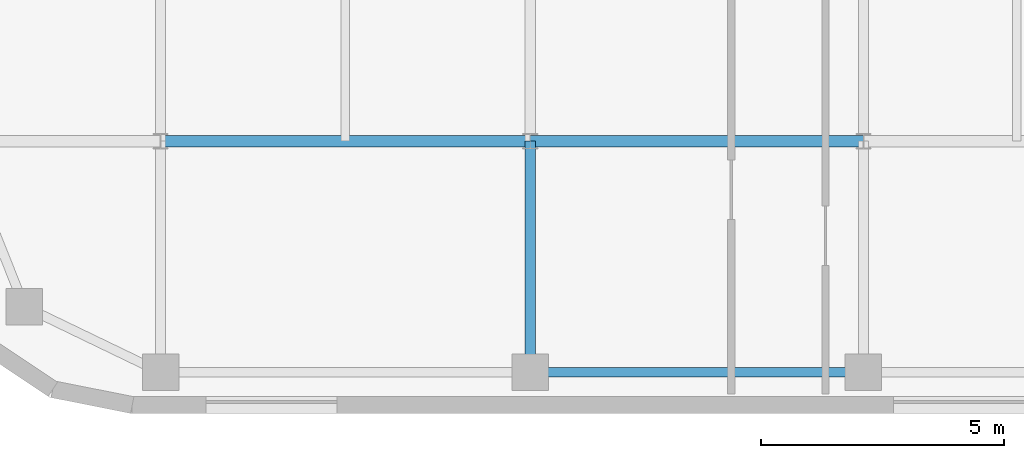
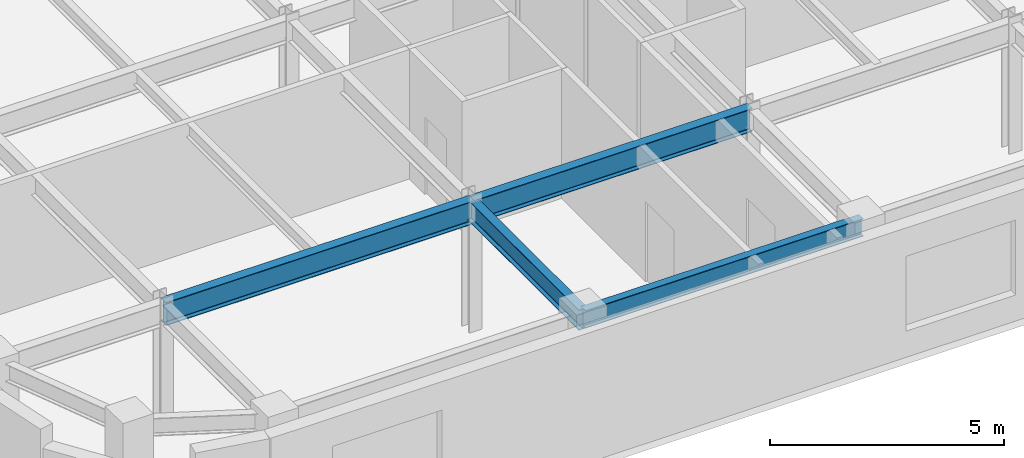
# One storey, part 4 of 19: 4 beams.
"""IFC4 building model written with IfcOpenShell, lengths in metres."""

import ifcopenshell
import ifcopenshell.guid

model = None  # the IFC model being written
_history = None  # IfcOwnerHistory: only IFC2X3 demands one
_inside = {}  # id of a spatial element -> (the spatial element, [elements in it])
_under = {}  # id of a project, library or spatial element -> (it, [spatial elements below it])
_declared = {}  # id of a project -> (the project, [libraries it declares])
_typed = {}  # id of a type object -> (the type object, [elements of that type])
_made_of = {}  # id of a material, layer set ... -> (it, [elements and type objects made of it])


def new_model(schema):
    """Start an empty IFC model of exactly this schema.

    Asked for "IFC4X3", IfcOpenShell would pick the latest addendum, in which some entities
    have other attributes; the version numbers below select the first issue.
    IFC2X3 requires an IfcOwnerHistory on every rooted entity: one is made here for all.
    """
    global model, _history
    if schema == "IFC4X3":
        model = ifcopenshell.file(schema_version=(4, 3, 0, 0))
    else:
        model = ifcopenshell.file(schema=schema)
    _inside.clear()
    _under.clear()
    _declared.clear()
    _typed.clear()
    _made_of.clear()
    _history = None
    if model.schema == "IFC2X3":
        org = make("IfcOrganization", Name="unknown")
        user = make(
            "IfcPersonAndOrganization",
            ThePerson=make("IfcPerson", FamilyName="unknown"),
            TheOrganization=org,
        )
        app = make(
            "IfcApplication",
            ApplicationDeveloper=org,
            Version="unknown",
            ApplicationFullName="unknown",
            ApplicationIdentifier="unknown",
        )
        _history = make(
            "IfcOwnerHistory",
            OwningUser=user,
            OwningApplication=app,
            ChangeAction="ADDED",
            CreationDate=0,
        )
    return model


def make(cls, **values):
    """One entity of the class cls with the attributes given. An attribute that is None is left unset."""
    return model.create_entity(
        cls, **{name: value for name, value in values.items() if value is not None}
    )


def rooted(cls, **values):
    """An entity with a GlobalId (a new one), such as an element, a storey or a relation."""
    return make(cls, GlobalId=ifcopenshell.guid.new(), OwnerHistory=_history, **values)


def si_unit(unit_type, name, prefix=None):
    """IfcSIUnit, for example si_unit("LENGTHUNIT", "METRE", prefix="MILLI")."""
    return make("IfcSIUnit", UnitType=unit_type, Prefix=prefix, Name=name)


def assignment(units):
    """IfcUnitAssignment: the units of a project."""
    return None if units is None else make("IfcUnitAssignment", Units=units)


def point(xyz):
    """IfcCartesianPoint."""
    return None if xyz is None else make("IfcCartesianPoint", Coordinates=xyz)


def direction(xyz):
    """IfcDirection."""
    return None if xyz is None else make("IfcDirection", DirectionRatios=xyz)


def frame(location, z_axis=None, x_axis=None):
    """IfcAxis2Placement3D, a coordinate frame: its origin and axes. An axis left out is left unset."""
    return make(
        "IfcAxis2Placement3D",
        Location=point(location),
        Axis=direction(z_axis),
        RefDirection=direction(x_axis),
    )


def frame_2d(location, x_axis=None):
    """IfcAxis2Placement2D, a coordinate frame in the plane: its origin and x axis."""
    return make(
        "IfcAxis2Placement2D", Location=point(location), RefDirection=direction(x_axis)
    )


def origin():
    """The frame at (0, 0, 0) with its axes left unset."""
    return frame((0.0, 0.0, 0.0))


def origin_2d():
    """The frame at (0, 0) in the plane with its x axis left unset."""
    return frame_2d((0.0, 0.0))


def place(relative_to, where):
    """IfcLocalPlacement: puts the frame where relative to a parent placement (None: the world)."""
    return make(
        "IfcLocalPlacement", PlacementRelTo=relative_to, RelativePlacement=where
    )


def context(
    kind, dimensions, precision=None, world=None, true_north=None, identifier=None
):
    """IfcGeometricRepresentationContext, for example the 3D "Model" context."""
    return make(
        "IfcGeometricRepresentationContext",
        ContextIdentifier=identifier,
        ContextType=kind,
        CoordinateSpaceDimension=dimensions,
        Precision=precision,
        WorldCoordinateSystem=world,
        TrueNorth=true_north,
    )


def subcontext(parent, identifier, kind, view, scale=None):
    """IfcGeometricRepresentationSubContext, for example "Body" below "Model"."""
    return make(
        "IfcGeometricRepresentationSubContext",
        ContextIdentifier=identifier,
        ContextType=kind,
        ParentContext=parent,
        TargetScale=scale,
        TargetView=view,
    )


def project(units=None, contexts=None):
    """IfcProject with its units and contexts."""
    return rooted(
        "IfcProject",
        Name="project",
        RepresentationContexts=contexts,
        UnitsInContext=assignment(units),
    )


def spatial(cls, under=None, at=None, **own):
    """A site, building, storey or space (cls), placed at a placement, below another one or the project."""
    s = rooted(cls, ObjectPlacement=at, **own)
    if under is not None:
        _under.setdefault(under.id(), (under, []))[1].append(s)
    return s


def profile(cls, at=None, kind="AREA", **sizes):
    """A parametric profile (cls). Its sizes go by their IFC names, for example OverallWidth=200.0."""
    return make(cls, ProfileType=kind, Position=at, **sizes)


def i_section(**sizes):
    """IfcIShapeProfileDef."""
    return profile("IfcIShapeProfileDef", **sizes)


def extrude(swept, where, along, depth):
    """IfcExtrudedAreaSolid: the profile swept, set in the frame where, extruded along a direction by depth."""
    return make(
        "IfcExtrudedAreaSolid",
        SweptArea=swept,
        Position=where,
        ExtrudedDirection=direction(along),
        Depth=depth,
    )


def shape(context_of_items, identifier, shape_type, items):
    """IfcShapeRepresentation: the items that make up one representation, for example the "Body"."""
    return make(
        "IfcShapeRepresentation",
        ContextOfItems=context_of_items,
        RepresentationIdentifier=identifier,
        RepresentationType=shape_type,
        Items=items,
    )


def source(mapping_origin, context_of_items, identifier, shape_type, items):
    """IfcRepresentationMap: a shape defined once, which mapped items show again and again."""
    return make(
        "IfcRepresentationMap",
        MappingOrigin=mapping_origin,
        MappedRepresentation=shape(context_of_items, identifier, shape_type, items),
    )


def transform(
    local_origin,
    x_axis=None,
    y_axis=None,
    z_axis=None,
    scale=None,
    scale2=None,
    scale3=None,
    uniform=True,
):
    """IfcCartesianTransformationOperator3D, or its non-uniform kind. x_axis, y_axis, z_axis: its Axis1, 2, 3."""
    if uniform:
        return make(
            "IfcCartesianTransformationOperator3D",
            Axis1=direction(x_axis),
            Axis2=direction(y_axis),
            LocalOrigin=point(local_origin),
            Scale=scale,
            Axis3=direction(z_axis),
        )
    return make(
        "IfcCartesianTransformationOperator3DnonUniform",
        Axis1=direction(x_axis),
        Axis2=direction(y_axis),
        LocalOrigin=point(local_origin),
        Scale=scale,
        Axis3=direction(z_axis),
        Scale2=scale2,
        Scale3=scale3,
    )


def mapped(mapping_source, mapping_target):
    """IfcMappedItem: shows the shape of a source again, moved by a transform."""
    return make(
        "IfcMappedItem", MappingSource=mapping_source, MappingTarget=mapping_target
    )


def material(Name=None, Category=None):
    """IfcMaterial."""
    return make("IfcMaterial", Name=Name, Category=Category)


def material_profile(
    of_material, cross_section, Name=None, Category=None, Priority=None
):
    """IfcMaterialProfile: a cross section and its material."""
    return make(
        "IfcMaterialProfile",
        Name=Name,
        Material=of_material,
        Profile=cross_section,
        Priority=Priority,
        Category=Category,
    )


def profile_set(profiles, Name=None, composite=None):
    """IfcMaterialProfileSet."""
    return make(
        "IfcMaterialProfileSet",
        Name=Name,
        MaterialProfiles=profiles,
        CompositeProfile=composite,
    )


def made_of(thing, what):
    """Note that an element or type object is made of a material, layer set ...; save() writes the relation."""
    if what is not None:
        _made_of.setdefault(what.id(), (what, []))[1].append(thing)
    return thing


def type_object(cls, material=None, **own):
    """A type object (cls), such as IfcWallType, which elements share."""
    return made_of(rooted(cls, **own), material)


def type_shapes(of_type, sources):
    """Give a type object the sources (RepresentationMaps) that its elements show as mapped items."""
    of_type.RepresentationMaps = sources


def element(
    cls,
    number,
    at=None,
    inside=None,
    cuts=None,
    type_object=None,
    material=None,
    context=None,
    identifier="Body",
    shape_type=None,
    held_by="IfcProductDefinitionShape",
    body=None,
    shapes=None,
    **own,
):
    """One element of the class cls, such as IfcWall. Its Tag is "e" and its number.

    at: its placement. inside: the storey or other place that contains it. cuts: it is an
    opening in that element (IfcRelVoidsElement). A single representation is given by context,
    identifier, shape_type and body (its items); several are given by shapes. held_by: the class
    of the entity that holds the representations. save() writes the other relations.
    """
    e = rooted(cls, Tag="e%d" % number, ObjectPlacement=at, **own)
    if body is not None:
        shapes = [shape(context, identifier, shape_type, body)]
    if shapes is not None:
        e.Representation = make(held_by, Representations=shapes)
    if inside is not None:
        _inside.setdefault(inside.id(), (inside, []))[1].append(e)
    if cuts is not None:
        rooted(
            "IfcRelVoidsElement", RelatingBuildingElement=cuts, RelatedOpeningElement=e
        )
    if type_object is not None:
        _typed.setdefault(type_object.id(), (type_object, []))[1].append(e)
    return made_of(e, material)


def aggregate(whole, parts):
    """IfcRelAggregates: a whole, such as a stair, and the parts it consists of."""
    return rooted("IfcRelAggregates", RelatingObject=whole, RelatedObjects=parts)


def save(model, path):
    """Write the relations noted so far, then the file.

    IfcRelAggregates (storeys below a building ...), IfcRelContainedInSpatialStructure (elements
    in a storey), IfcRelDefinesByType, IfcRelAssociatesMaterial and IfcRelDeclares: one each for
    every whole, place, type object, material and project.
    """
    for whole, parts in _under.values():
        aggregate(whole, parts)
    for where, things in _inside.values():
        rooted(
            "IfcRelContainedInSpatialStructure",
            RelatedElements=things,
            RelatingStructure=where,
        )
    for kind, things in _typed.values():
        rooted("IfcRelDefinesByType", RelatedObjects=things, RelatingType=kind)
    for what, things in _made_of.values():
        rooted("IfcRelAssociatesMaterial", RelatedObjects=things, RelatingMaterial=what)
    for by, libraries in _declared.values():
        rooted("IfcRelDeclares", RelatingContext=by, RelatedDefinitions=libraries)
    model.write(path)


model = new_model("IFC4")

# Units and contexts
model_context = context("Model", 3, precision=1e-05, world=origin(), true_north=direction((0.0, 1.0)))
body_context = subcontext(model_context, "Body", "Model", "MODEL_VIEW")
ifc_project = project(units=[si_unit("LENGTHUNIT", "METRE"), si_unit("AREAUNIT", "SQUARE_METRE"), si_unit("VOLUMEUNIT", "CUBIC_METRE"), si_unit("PLANEANGLEUNIT", "RADIAN"), si_unit("MASSUNIT", "GRAM", prefix="KILO")], contexts=[model_context])

# Site, building, storey
site_placement = place(None, origin())
site = spatial("IfcSite", under=ifc_project, at=site_placement, CompositionType="ELEMENT")
building_placement = place(site_placement, origin())
building = spatial("IfcBuilding", under=site, at=building_placement, Name="Tolvann Quenvar Hotel", CompositionType="ELEMENT")
storey_placement = place(building_placement, frame((0.0, 0.0, 223.89990234375)))
storey = spatial("IfcBuildingStorey", under=building, at=storey_placement, Name="L59", CompositionType="ELEMENT", Elevation=223.89990234375)

# Beams
ifc_material = material(Name="Steel Grade 350", Category="steel")
ifc_material_profile_1 = material_profile(ifc_material, i_section(OverallWidth=0.22802734375, OverallDepth=0.60205078125, WebThickness=0.010498046875, FlangeThickness=0.014892578125, FilletRadius=0.013916015625, at=origin_2d()), Name="610UB101")
ifc_profile_set_1 = profile_set([ifc_material_profile_1], Name="Steel Grade 350")
beam_type_1 = type_object("IfcBeamType", Name="BM_GIRD_610UB101", PredefinedType="BEAM", material=ifc_profile_set_1)
shared_shape_1 = source(origin(), body_context, "Body", "SweptSolid", [
    extrude(i_section(OverallWidth=0.22802734375, OverallDepth=0.60205078125, WebThickness=0.010498046875, FlangeThickness=0.014892578125, FilletRadius=0.013916015625, at=origin_2d()), origin(), (0.0, 0.0, 1.0), 7.599853515625),
])
beam_1_placement = place(storey_placement, frame((7.60009765625, 8.199951171875, 3.069091796875), z_axis=(1.0, 0.0, 0.0), x_axis=(0.0, 1.0, 0.0)))
element("IfcBeam", 1, at=beam_1_placement, inside=storey, type_object=beam_type_1, Name="BM-L59-EW-3-C3-D3", PredefinedType="BEAM", context=body_context, shape_type="MappedRepresentation", body=[
    mapped(shared_shape_1, transform((0.0, 0.0, 0.0), x_axis=(1.0, 0.0, 0.0), y_axis=(0.0, 1.0, 0.0), z_axis=(0.0, 0.0, 1.0), scale=1.0)),
])
shared_shape_2 = source(origin(), body_context, "Body", "SweptSolid", [
    extrude(i_section(OverallWidth=0.22802734375, OverallDepth=0.60205078125, WebThickness=0.010498046875, FlangeThickness=0.014892578125, FilletRadius=0.013916015625, at=origin_2d()), origin(), (0.0, 0.0, 1.0), 6.85009765625),
])
type_shapes(beam_type_1, [shared_shape_1, shared_shape_2])
beam_2_placement = place(storey_placement, frame((15.199951171875, 8.199951171875, 3.069091796875), z_axis=(1.0, 0.0, 0.0), x_axis=(0.0, 1.0, 0.0)))
element("IfcBeam", 2, at=beam_2_placement, inside=storey, type_object=beam_type_1, Name="BM-L59-EW-3-D3-E3", PredefinedType="BEAM", context=body_context, shape_type="MappedRepresentation", body=[
    mapped(shared_shape_2, transform((0.0, 0.0, 0.0), x_axis=(1.0, 0.0, 0.0), y_axis=(0.0, 1.0, 0.0), z_axis=(0.0, 0.0, 1.0), scale=1.0)),
])
ifc_material_profile_2 = material_profile(ifc_material, i_section(OverallWidth=0.208984375, OverallDepth=0.532958984375, WebThickness=0.01025390625, FlangeThickness=0.015625, FilletRadius=0.013916015625, at=origin_2d()), Name="530UB92")
ifc_profile_set_2 = profile_set([ifc_material_profile_2], Name="Steel Grade 350")
beam_type_2 = type_object("IfcBeamType", Name="BM_GIRD_530UB92", PredefinedType="BEAM", material=ifc_profile_set_2)
shared_shape_3 = source(origin(), body_context, "Body", "SweptSolid", [
    extrude(i_section(OverallWidth=0.208984375, OverallDepth=0.532958984375, WebThickness=0.01025390625, FlangeThickness=0.015625, FilletRadius=0.013916015625, at=origin_2d()), origin(), (0.0, 0.0, 1.0), 4.75),
])
type_shapes(beam_type_2, [shared_shape_3])
beam_3_placement = place(storey_placement, frame((15.199951171875, 3.449951171875, 3.103515625), z_axis=(0.0, 1.0, 0.0), x_axis=(-1.0, 0.0, 0.0)))
element("IfcBeam", 3, at=beam_3_placement, inside=storey, type_object=beam_type_2, Name="BM-L59-NS-D2-D3", PredefinedType="BEAM", context=body_context, shape_type="MappedRepresentation", body=[
    mapped(shared_shape_3, transform((0.0, 0.0, 0.0), x_axis=(1.0, 0.0, 0.0), y_axis=(0.0, 1.0, 0.0), z_axis=(0.0, 0.0, 1.0), scale=1.0)),
])
ifc_material_profile_3 = material_profile(ifc_material, i_section(OverallWidth=0.19091796875, OverallDepth=0.4599609375, WebThickness=0.010009765625, FlangeThickness=0.01611328125, FilletRadius=0.011474609375, at=origin_2d()), Name="460UB82")
ifc_profile_set_3 = profile_set([ifc_material_profile_3], Name="Steel Grade 350")
beam_type_3 = type_object("IfcBeamType", Name="BM_SPAND_460UB82", PredefinedType="SPANDREL", material=ifc_profile_set_3)
shared_shape_4 = source(origin(), body_context, "Body", "SweptSolid", [
    extrude(i_section(OverallWidth=0.19091796875, OverallDepth=0.4599609375, WebThickness=0.010009765625, FlangeThickness=0.01611328125, FilletRadius=0.011474609375, at=origin_2d()), origin(), (0.0, 0.0, 1.0), 6.85009765625),
])
type_shapes(beam_type_3, [shared_shape_4])
beam_4_placement = place(storey_placement, frame((15.199951171875, 3.449951171875, 3.14013671875), z_axis=(1.0, 0.0, 0.0), x_axis=(0.0, 1.0, 0.0)))
element("IfcBeam", 4, at=beam_4_placement, inside=storey, type_object=beam_type_3, Name="BM-L59-EW-2-D2-E2", PredefinedType="SPANDREL", context=body_context, shape_type="MappedRepresentation", body=[
    mapped(shared_shape_4, transform((0.0, 0.0, 0.0), x_axis=(1.0, 0.0, 0.0), y_axis=(0.0, 1.0, 0.0), z_axis=(0.0, 0.0, 1.0), scale=1.0)),
])

save(model, "model.ifc")
